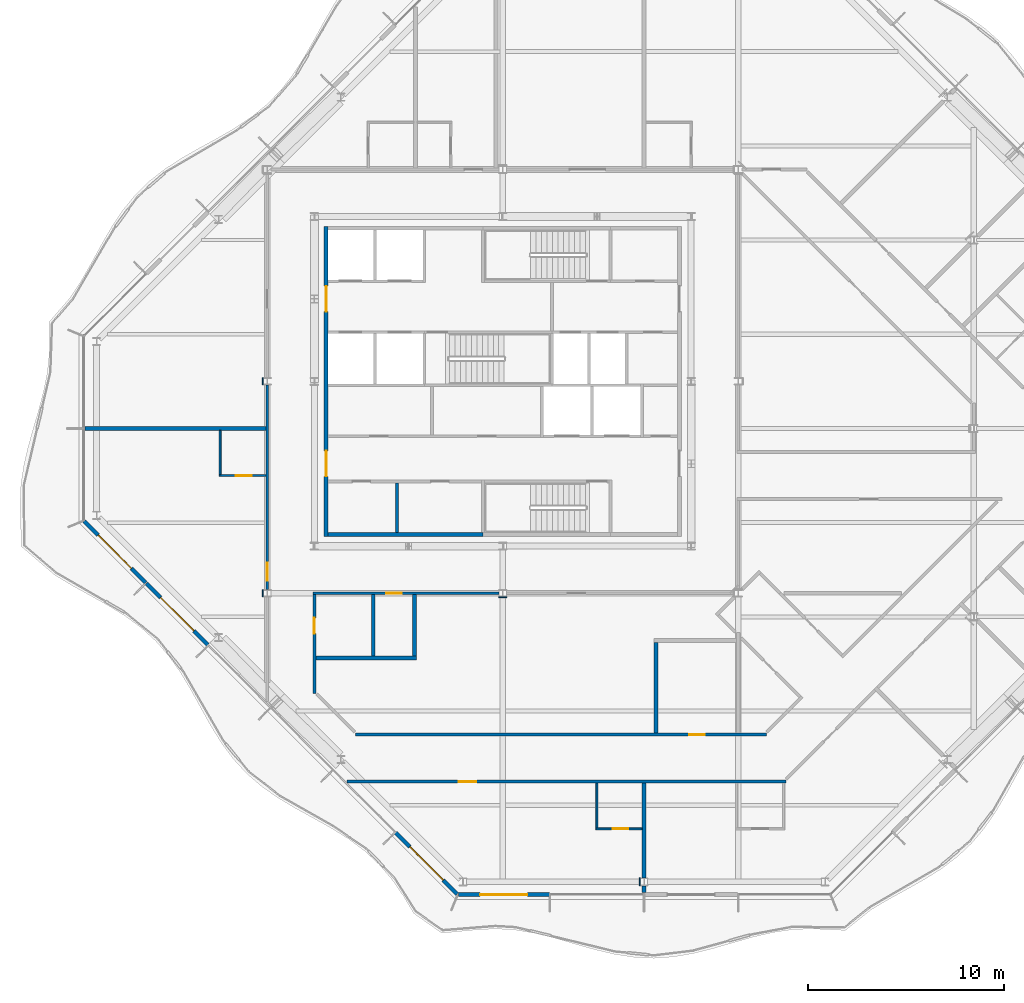
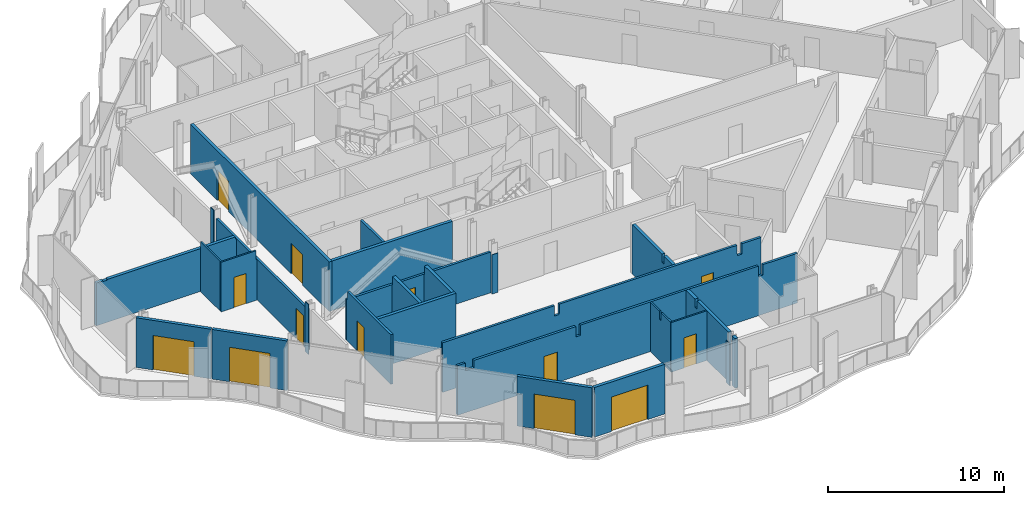
# One storey, part 7 of 17: 27 walls, 13 doors, 13 openings.
"""IFC4 building model written with IfcOpenShell, lengths in metres."""

from ifc_helpers import new_model, si_unit, direction, frame, frame_2d, origin, place, context, subcontext, project, spatial, polyline, rectangle, outline, extrude, material, layer, layer_set, type_object, element, fill, save


model = new_model("IFC4")

# Units and contexts
model_context = context("Model", 3, precision=1e-05, world=origin(), true_north=direction((0.0, 1.0)))
body_context = subcontext(model_context, "Body", "Model", "MODEL_VIEW")
ifc_project = project(units=[si_unit("LENGTHUNIT", "METRE"), si_unit("AREAUNIT", "SQUARE_METRE"), si_unit("VOLUMEUNIT", "CUBIC_METRE"), si_unit("PLANEANGLEUNIT", "RADIAN"), si_unit("MASSUNIT", "GRAM", prefix="KILO")], contexts=[model_context])

# Site, building, storey
site_placement = place(None, origin())
site = spatial("IfcSite", under=ifc_project, at=site_placement, CompositionType="ELEMENT")
building_placement = place(site_placement, origin())
building = spatial("IfcBuilding", under=site, at=building_placement, Name="Cairn Pilgrim Tower", CompositionType="ELEMENT")
storey_placement = place(building_placement, frame((0.0, 0.0, 239.39990234375)))
storey = spatial("IfcBuildingStorey", under=building, at=storey_placement, Name="L61", CompositionType="ELEMENT", Elevation=239.39990234375)

# Wall, opening, door
ifc_material_1 = material(Name="Bronze anodised aluminium insulated sandwich panel with mineral wool fill", Category="aluminium")
ifc_layer_1 = layer(ifc_material_1, 0.199951171875)
ifc_layer_set_1 = layer_set([ifc_layer_1], Name="BRONZE INFILL FRAME WALL 200")
wall_type_1 = type_object("IfcWallType", Name="BRONZE INFILL FRAME WALL 200", PredefinedType="NOTDEFINED", material=ifc_layer_set_1)
wall_1_placement = place(storey_placement, frame((4.943603515625, -23.75, 0.0), z_axis=(0.0, 0.0, 1.0), x_axis=(1.0, 0.0, 0.0)))
wall_1 = element("IfcWall", 1, at=wall_1_placement, inside=storey, type_object=wall_type_1, Name="Bronze infill frame wall IW-S1", PredefinedType="NOTDEFINED", context=body_context, shape_type="SweptSolid", body=[
    extrude(rectangle(XDim=4.62646484375, YDim=0.199951171875, at=frame_2d((2.313232421875, 0.0))), origin(), (0.0, 0.0, 1.0), 3.4501953125),
])
opening_1_placement = place(wall_1_placement, frame((1.1083984375, 0.0, 0.0)))
opening_1 = element("IfcOpeningElement", 2, at=opening_1_placement, cuts=wall_1, Name="Opening 6113B2", PredefinedType="OPENING", context=body_context, shape_type="SweptSolid", body=[
    extrude(rectangle(XDim=2.39990234375, YDim=2.39990234375, at=frame_2d((1.199951171875, 1.199951171875))), frame((0.0, 0.10986328125, 0.0), z_axis=(0.0, -1.0, 0.0), x_axis=(1.0, 0.0, 0.0)), (0.0, 0.0, 1.0), 0.219970703125),
])
ifc_material_2 = material(Name="Bronze anodised aluminium frame with tinted low-E glass", Category="aluminium")
door_type_1 = type_object("IfcDoorType", Name="BALCONY SLIDING DOOR 2400x2400", OperationType="DOUBLE_DOOR_SLIDING", PredefinedType="DOOR", material=ifc_material_2)
door_1_placement = place(opening_1_placement, origin())
door_1 = element("IfcDoor", 3, at=door_1_placement, inside=storey, type_object=door_type_1, Name="Balcony sliding door 6113B2", OperationType="SINGLE_SWING_LEFT", OverallHeight=2.39990234375, OverallWidth=2.39990234375, PredefinedType="DOOR", context=body_context, shape_type="SweptSolid", body=[
    extrude(rectangle(XDim=2.39990234375, YDim=2.39990234375, at=frame_2d((1.199951171875, 1.199951171875))), frame((0.0, 0.02490234375, 0.0), z_axis=(0.0, -1.0, 0.0), x_axis=(1.0, 0.0, 0.0)), (0.0, 0.0, 1.0), 0.050048828125),
])
fill(opening_1, door_1)

wall_2_placement = place(storey_placement, frame((-14.121826171875, -4.724609375, 0.0), z_axis=(0.0, 0.0, 1.0), x_axis=(0.707106781187, -0.707106781187, 0.0)))
wall_2 = element("IfcWall", 4, at=wall_2_placement, inside=storey, type_object=wall_type_1, Name="Bronze infill frame wall IW-SW1", PredefinedType="NOTDEFINED", context=body_context, shape_type="SweptSolid", body=[
    extrude(rectangle(XDim=4.421142578125, YDim=0.199951171875, at=frame_2d((2.21044921875, 0.0))), origin(), (0.0, 0.0, 1.0), 3.4501953125),
])
opening_2_placement = place(wall_2_placement, frame((1.00537109375, 0.0, 0.0)))
opening_2 = element("IfcOpeningElement", 5, at=opening_2_placement, cuts=wall_2, Name="Opening 6112B2", PredefinedType="OPENING", context=body_context, shape_type="SweptSolid", body=[
    extrude(rectangle(XDim=2.39990234375, YDim=2.39990234375, at=frame_2d((1.199951171875, 1.199951171875))), frame((0.0, 0.10986328125, 0.0), z_axis=(0.0, -1.0, 0.0), x_axis=(1.0, 0.0, 0.0)), (0.0, 0.0, 1.0), 0.219970703125),
])
door_2_placement = place(opening_2_placement, origin())
door_2 = element("IfcDoor", 6, at=door_2_placement, inside=storey, type_object=door_type_1, Name="Balcony sliding door 6112B2", OperationType="SINGLE_SWING_LEFT", OverallHeight=2.39990234375, OverallWidth=2.39990234375, PredefinedType="DOOR", context=body_context, shape_type="SweptSolid", body=[
    extrude(rectangle(XDim=2.39990234375, YDim=2.39990234375, at=frame_2d((1.199951171875, 1.199951171875))), frame((0.0, 0.02490234375, 0.0), z_axis=(0.0, -1.0, 0.0), x_axis=(1.0, 0.0, 0.0)), (0.0, 0.0, 1.0), 0.050048828125),
])
fill(opening_2, door_2)

wall_3_placement = place(storey_placement, frame((-10.953125, -7.893310546875, 0.0), z_axis=(0.0, 0.0, 1.0), x_axis=(0.707106781187, -0.707106781187, 0.0)))
wall_3 = element("IfcWall", 7, at=wall_3_placement, inside=storey, type_object=wall_type_1, Name="Bronze infill frame wall IW-SW2", PredefinedType="NOTDEFINED", context=body_context, shape_type="SweptSolid", body=[
    extrude(rectangle(XDim=4.430908203125, YDim=0.199951171875, at=frame_2d((2.21533203125, 0.0))), origin(), (0.0, 0.0, 1.0), 3.4501953125),
])
opening_3_placement = place(wall_3_placement, frame((1.015380859375, 0.0, 0.0)))
opening_3 = element("IfcOpeningElement", 8, at=opening_3_placement, cuts=wall_3, Name="Opening 6112B", PredefinedType="OPENING", context=body_context, shape_type="SweptSolid", body=[
    extrude(rectangle(XDim=2.39990234375, YDim=2.39990234375, at=frame_2d((1.199951171875, 1.199951171875))), frame((0.0, 0.10986328125, 0.0), z_axis=(0.0, -1.0, 0.0), x_axis=(1.0, 0.0, 0.0)), (0.0, 0.0, 1.0), 0.219970703125),
])
door_3_placement = place(opening_3_placement, origin())
door_3 = element("IfcDoor", 9, at=door_3_placement, inside=storey, type_object=door_type_1, Name="Balcony sliding door 6112B", OperationType="SINGLE_SWING_LEFT", OverallHeight=2.39990234375, OverallWidth=2.39990234375, PredefinedType="DOOR", context=body_context, shape_type="SweptSolid", body=[
    extrude(rectangle(XDim=2.39990234375, YDim=2.39990234375, at=frame_2d((1.199951171875, 1.199951171875))), frame((0.0, 0.02490234375, 0.0), z_axis=(0.0, -1.0, 0.0), x_axis=(1.0, 0.0, 0.0)), (0.0, 0.0, 1.0), 0.050048828125),
])
fill(opening_3, door_3)

wall_4_placement = place(storey_placement, frame((1.749267578125, -20.595703125, 0.0), z_axis=(0.0, 0.0, 1.0), x_axis=(0.707106781187, -0.707106781187, 0.0)))
wall_4 = element("IfcWall", 10, at=wall_4_placement, inside=storey, type_object=wall_type_1, Name="Bronze infill frame wall IW-SW6", PredefinedType="NOTDEFINED", context=body_context, shape_type="SweptSolid", body=[
    extrude(rectangle(XDim=4.4208984375, YDim=0.199951171875, at=frame_2d((2.21044921875, 0.0))), origin(), (0.0, 0.0, 1.0), 3.4501953125),
])
opening_4_placement = place(wall_4_placement, frame((1.01513671875, 0.0, 0.0)))
opening_4 = element("IfcOpeningElement", 11, at=opening_4_placement, cuts=wall_4, Name="Opening 6113B", PredefinedType="OPENING", context=body_context, shape_type="SweptSolid", body=[
    extrude(rectangle(XDim=2.39990234375, YDim=2.39990234375, at=frame_2d((1.199951171875, 1.199951171875))), frame((0.0, 0.10986328125, 0.0), z_axis=(0.0, -1.0, 0.0), x_axis=(1.0, 0.0, 0.0)), (0.0, 0.0, 1.0), 0.219970703125),
])
door_4_placement = place(opening_4_placement, origin())
door_4 = element("IfcDoor", 12, at=door_4_placement, inside=storey, type_object=door_type_1, Name="Balcony sliding door 6113B", OperationType="SINGLE_SWING_LEFT", OverallHeight=2.39990234375, OverallWidth=2.39990234375, PredefinedType="DOOR", context=body_context, shape_type="SweptSolid", body=[
    extrude(rectangle(XDim=2.39990234375, YDim=2.39990234375, at=frame_2d((1.199951171875, 1.199951171875))), frame((0.0, 0.02490234375, 0.0), z_axis=(0.0, -1.0, 0.0), x_axis=(1.0, 0.0, 0.0)), (0.0, 0.0, 1.0), 0.050048828125),
])
fill(opening_4, door_4)

# Wall
ifc_material_3 = material(Name="Concrete C32/40", Category="concrete")
ifc_layer_2 = layer(ifc_material_3, 0.199951171875)
ifc_layer_set_2 = layer_set([ifc_layer_2], Name="CORE OUTER WALL 200 EI 120")
wall_type_2 = type_object("IfcWallType", Name="CORE OUTER WALL 200 EI 120", PredefinedType="SOLIDWALL", material=ifc_layer_set_2)
wall_5_placement = place(storey_placement, frame((-1.699951171875, -5.39990234375, 0.0), z_axis=(0.0, 0.0, 1.0), x_axis=(1.0, 0.0, 0.0)))
element("IfcWall", 13, at=wall_5_placement, inside=storey, type_object=wall_type_2, Name="CW:L61:H01-1", PredefinedType="SOLIDWALL", context=body_context, shape_type="SweptSolid", body=[
    extrude(rectangle(XDim=7.89990234375, YDim=0.199951171875, at=frame_2d((3.949951171875, 0.0))), origin(), (0.0, 0.0, 1.0), 3.4501953125),
])

# Wall, openings, doors
wall_6_placement = place(storey_placement, frame((-1.800048828125, -5.5, 0.0), z_axis=(0.0, 0.0, 1.0), x_axis=(0.0, 1.0, 0.0)))
wall_6 = element("IfcWall", 14, at=wall_6_placement, inside=storey, type_object=wall_type_2, Name="CW:L61:V13", PredefinedType="SOLIDWALL", context=body_context, shape_type="SweptSolid", body=[
    extrude(rectangle(XDim=15.800048828125, YDim=0.199951171875, at=frame_2d((7.89990234375, 0.0))), origin(), (0.0, 0.0, 1.0), 3.4501953125),
])
opening_5_placement = place(wall_6_placement, frame((3.050048828125, 0.0, 0.0)))
opening_5 = element("IfcOpeningElement", 15, at=opening_5_placement, cuts=wall_6, Name="Opening CD-W1", PredefinedType="OPENING", context=body_context, shape_type="SweptSolid", body=[
    extrude(rectangle(XDim=1.300048828125, YDim=2.10009765625, at=frame_2d((0.64990234375, 1.050048828125))), frame((0.0, 0.10986328125, 0.0), z_axis=(0.0, -1.0, 0.0), x_axis=(1.0, 0.0, 0.0)), (0.0, 0.0, 1.0), 0.219970703125),
])
opening_6_placement = place(wall_6_placement, frame((11.449951171875, 0.0, 0.0)))
opening_6 = element("IfcOpeningElement", 16, at=opening_6_placement, cuts=wall_6, Name="Opening CD-W2", PredefinedType="OPENING", context=body_context, shape_type="SweptSolid", body=[
    extrude(rectangle(XDim=1.300048828125, YDim=2.10009765625, at=frame_2d((0.64990234375, 1.050048828125))), frame((0.0, 0.10986328125, 0.0), z_axis=(0.0, -1.0, 0.0), x_axis=(1.0, 0.0, 0.0)), (0.0, 0.0, 1.0), 0.219970703125),
])
ifc_material_4 = material(Name="Painted steel", Category="steel")
door_type_2 = type_object("IfcDoorType", Name="CORE LOBBY DOOR 1300x2100", OperationType="DOUBLE_DOOR_SINGLE_SWING", PredefinedType="DOOR", material=ifc_material_4)
door_5_placement = place(opening_5_placement, origin())
door_5 = element("IfcDoor", 17, at=door_5_placement, inside=storey, type_object=door_type_2, Name="CD-W1", OperationType="DOUBLE_DOOR_SINGLE_SWING", OverallHeight=2.10009765625, OverallWidth=1.300048828125, PredefinedType="DOOR", context=body_context, shape_type="SweptSolid", body=[
    extrude(rectangle(XDim=1.300048828125, YDim=2.10009765625, at=frame_2d((0.64990234375, 1.050048828125))), frame((0.0, 0.02490234375, 0.0), z_axis=(0.0, -1.0, 0.0), x_axis=(1.0, 0.0, 0.0)), (0.0, 0.0, 1.0), 0.050048828125),
])
fill(opening_5, door_5)
door_6_placement = place(opening_6_placement, origin())
door_6 = element("IfcDoor", 18, at=door_6_placement, inside=storey, type_object=door_type_2, Name="CD-W2", OperationType="DOUBLE_DOOR_SINGLE_SWING", OverallHeight=2.10009765625, OverallWidth=1.300048828125, PredefinedType="DOOR", context=body_context, shape_type="SweptSolid", body=[
    extrude(rectangle(XDim=1.300048828125, YDim=2.10009765625, at=frame_2d((0.64990234375, 1.050048828125))), frame((0.0, 0.02490234375, 0.0), z_axis=(0.0, -1.0, 0.0), x_axis=(1.0, 0.0, 0.0)), (0.0, 0.0, 1.0), 0.050048828125),
])
fill(opening_6, door_6)

# Wall
ifc_layer_3 = layer(ifc_material_3, 0.14990234375)
ifc_layer_set_3 = layer_set([ifc_layer_3], Name="CORE PARTITION 150 EI 60")
wall_type_3 = type_object("IfcWallType", Name="CORE PARTITION 150 EI 60", PredefinedType="PARTITIONING", material=ifc_layer_set_3)
wall_7_placement = place(storey_placement, frame((1.800048828125, -5.300048828125, 0.0), z_axis=(0.0, 0.0, 1.0), x_axis=(0.0, 1.0, 0.0)))
element("IfcWall", 19, at=wall_7_placement, inside=storey, type_object=wall_type_3, Name="CW:L61:V16", PredefinedType="PARTITIONING", context=body_context, shape_type="SweptSolid", body=[
    extrude(rectangle(XDim=2.525146484375, YDim=0.14990234375, at=frame_2d((1.2626953125, 0.0))), origin(), (0.0, 0.0, 1.0), 3.4501953125),
])

# Wall, opening, door
ifc_material_5 = material(Name="Gypsum partition")
ifc_layer_4 = layer(ifc_material_5, 0.10009765625)
ifc_layer_set_4 = layer_set([ifc_layer_4], Name="PARTITION 100 DRYWALL")
wall_type_4 = type_object("IfcWallType", Name="PARTITION 100 DRYWALL", PredefinedType="PARTITIONING", material=ifc_layer_set_4)
wall_8_placement = place(storey_placement, frame((11.949951171875, -20.39990234375, 0.0), z_axis=(0.0, 0.0, 1.0), x_axis=(1.0, 0.0, 0.0)))
wall_8 = element("IfcWall", 20, at=wall_8_placement, inside=storey, type_object=wall_type_4, Name="PARTITION W003", PredefinedType="PARTITIONING", context=body_context, shape_type="SweptSolid", body=[
    extrude(rectangle(XDim=2.35009765625, YDim=0.10009765625, at=frame_2d((1.175048828125, 0.0))), origin(), (0.0, 0.0, 1.0), 3.4501953125),
])
opening_7_placement = place(wall_8_placement, frame((0.85009765625, 0.0, 0.0)))
opening_7 = element("IfcOpeningElement", 21, at=opening_7_placement, cuts=wall_8, Name="Opening 6113A", PredefinedType="OPENING", context=body_context, shape_type="SweptSolid", body=[
    extrude(rectangle(XDim=0.800048828125, YDim=2.10009765625, at=frame_2d((0.39990234375, 1.050048828125))), frame((0.0, 0.06005859375, 0.0), z_axis=(0.0, -1.0, 0.0), x_axis=(1.0, 0.0, 0.0)), (0.0, 0.0, 1.0), 0.1201171875),
])
ifc_material_6 = material(Name="Timber door leaf", Category="wood")
door_type_3 = type_object("IfcDoorType", Name="WC DOOR 800x2100", OperationType="NOTDEFINED", PredefinedType="DOOR", material=ifc_material_6)
door_7_placement = place(opening_7_placement, frame((0.800048828125, 0.0, 0.0), z_axis=(0.0, 0.0, 1.0), x_axis=(-1.0, 0.0, 0.0)))
door_7 = element("IfcDoor", 22, at=door_7_placement, inside=storey, type_object=door_type_3, Name="DOOR 6113A", OperationType="SINGLE_SWING_LEFT", OverallHeight=2.10009765625, OverallWidth=0.800048828125, PredefinedType="DOOR", context=body_context, shape_type="SweptSolid", body=[
    extrude(rectangle(XDim=0.800048828125, YDim=2.10009765625, at=frame_2d((0.39990234375, 1.050048828125))), frame((0.0, 0.02490234375, 0.0), z_axis=(0.0, -1.0, 0.0), x_axis=(1.0, 0.0, 0.0)), (0.0, 0.0, 1.0), 0.050048828125),
])
fill(opening_7, door_7)

# Wall
wall_9_placement = place(storey_placement, frame((12.0, -20.35009765625, 0.0), z_axis=(0.0, 0.0, 1.0), x_axis=(0.0, 1.0, 0.0)))
element("IfcWall", 23, at=wall_9_placement, inside=storey, type_object=wall_type_4, Name="PARTITION W004", PredefinedType="PARTITIONING", context=body_context, shape_type="SweptSolid", body=[
    extrude(outline(polyline([(0.0, 0.0), (2.275146484375, 0.0), (2.27490234375, 3.4501953125), (1.2548828125, 3.4501953125), (1.2529296875, 2.880126953125), (1.044921875, 2.880126953125), (1.04296875, 3.4501953125), (0.0, 3.4501953125), (0.0, 0.0)])), frame((0.0, 0.050048828125, 0.0), z_axis=(0.0, -1.0, 0.0), x_axis=(1.0, 0.0, 0.0)), (0.0, 0.0, 1.0), 0.10009765625),
])

# Wall, opening, door
wall_10_placement = place(storey_placement, frame((-7.25, -2.39990234375, 0.0), z_axis=(0.0, 0.0, 1.0), x_axis=(1.0, 0.0, 0.0)))
wall_10 = element("IfcWall", 24, at=wall_10_placement, inside=storey, type_object=wall_type_4, Name="PARTITION W047", PredefinedType="PARTITIONING", context=body_context, shape_type="SweptSolid", body=[
    extrude(outline(polyline([(0.0, 0.0), (2.375, 0.0), (2.375, 2.830078125), (2.300048828125, 2.830078125), (2.298095703125, 3.4501953125), (0.0, 3.4501953125), (0.0, 0.0)])), frame((0.0, 0.050048828125, 0.0), z_axis=(0.0, -1.0, 0.0), x_axis=(1.0, 0.0, 0.0)), (0.0, 0.0, 1.0), 0.10009765625),
])
opening_8_placement = place(wall_10_placement, frame((0.85009765625, 0.0, 0.0)))
opening_8 = element("IfcOpeningElement", 25, at=opening_8_placement, cuts=wall_10, Name="Opening 6112A", PredefinedType="OPENING", context=body_context, shape_type="SweptSolid", body=[
    extrude(rectangle(XDim=0.800048828125, YDim=2.10009765625, at=frame_2d((0.39990234375, 1.050048828125))), frame((0.0, 0.06005859375, 0.0), z_axis=(0.0, -1.0, 0.0), x_axis=(1.0, 0.0, 0.0)), (0.0, 0.0, 1.0), 0.1201171875),
])
door_8_placement = place(opening_8_placement, frame((0.800048828125, 0.0, 0.0), z_axis=(0.0, 0.0, 1.0), x_axis=(-1.0, 0.0, 0.0)))
door_8 = element("IfcDoor", 26, at=door_8_placement, inside=storey, type_object=door_type_3, Name="DOOR 6112A", OperationType="SINGLE_SWING_LEFT", OverallHeight=2.10009765625, OverallWidth=0.800048828125, PredefinedType="DOOR", context=body_context, shape_type="SweptSolid", body=[
    extrude(rectangle(XDim=0.800048828125, YDim=2.10009765625, at=frame_2d((0.39990234375, 1.050048828125))), frame((0.0, 0.02490234375, 0.0), z_axis=(0.0, -1.0, 0.0), x_axis=(1.0, 0.0, 0.0)), (0.0, 0.0, 1.0), 0.050048828125),
])
fill(opening_8, door_8)

# Wall
wall_11_placement = place(storey_placement, frame((-7.199951171875, -2.35009765625, 0.0), z_axis=(0.0, 0.0, 1.0), x_axis=(0.0, 1.0, 0.0)))
element("IfcWall", 27, at=wall_11_placement, inside=storey, type_object=wall_type_4, Name="PARTITION W048", PredefinedType="PARTITIONING", context=body_context, shape_type="SweptSolid", body=[
    extrude(rectangle(XDim=2.25, YDim=0.10009765625, at=frame_2d((1.125, 0.0))), origin(), (0.0, 0.0, 1.0), 3.4501953125),
])

# Wall, opening, door
ifc_layer_5 = layer(ifc_material_5, 0.14990234375)
ifc_layer_set_5 = layer_set([ifc_layer_5], Name="PARTITION 150 DRYWALL EI 60")
wall_type_5 = type_object("IfcWallType", Name="PARTITION 150 DRYWALL EI 60", PredefinedType="PARTITIONING", material=ifc_layer_set_5)
wall_12_placement = place(storey_placement, frame((-0.72607421875, -18.0, 0.0), z_axis=(0.0, 0.0, 1.0), x_axis=(1.0, 0.0, 0.0)))
wall_12 = element("IfcWall", 28, at=wall_12_placement, inside=storey, type_object=wall_type_5, Name="PARTITION W008", PredefinedType="PARTITIONING", context=body_context, shape_type="SweptSolid", body=[
    extrude(outline(polyline([(0.0, 0.0), (22.34716796875, 0.0), (22.34716796875, 3.4501953125), (20.076171875, 3.4501953125), (20.07421875, 2.72998046875), (19.776123046875, 2.72998046875), (19.774169921875, 3.4501953125), (8.076171875, 3.4501953125), (8.07421875, 2.72998046875), (7.776123046875, 2.72998046875), (7.774169921875, 3.4501953125), (1.0859375, 3.4501953125), (1.083984375, 2.93017578125), (0.51171875, 2.93017578125), (0.509765625, 3.4501953125), (0.0, 3.4501953125), (0.0, 0.0)])), frame((0.0, 0.074951171875, 0.0), z_axis=(0.0, -1.0, 0.0), x_axis=(1.0, 0.0, 0.0)), (0.0, 0.0, 1.0), 0.14990234375),
])
opening_9_placement = place(wall_12_placement, frame((5.676025390625, 0.0, 0.0)))
opening_9 = element("IfcOpeningElement", 29, at=opening_9_placement, cuts=wall_12, Name="Opening 6113", PredefinedType="OPENING", context=body_context, shape_type="SweptSolid", body=[
    extrude(rectangle(XDim=0.89990234375, YDim=2.10009765625, at=frame_2d((0.449951171875, 1.050048828125))), frame((0.0, 0.0849609375, 0.0), z_axis=(0.0, -1.0, 0.0), x_axis=(1.0, 0.0, 0.0)), (0.0, 0.0, 1.0), 0.169921875),
])
door_type_4 = type_object("IfcDoorType", Name="ROOM DOOR 900x2100 FD30S", OperationType="NOTDEFINED", PredefinedType="DOOR", material=ifc_material_6)
door_9_placement = place(opening_9_placement, frame((0.89990234375, 0.0, 0.0), z_axis=(0.0, 0.0, 1.0), x_axis=(-1.0, 0.0, 0.0)))
door_9 = element("IfcDoor", 30, at=door_9_placement, inside=storey, type_object=door_type_4, Name="DOOR 6113", OperationType="SINGLE_SWING_LEFT", OverallHeight=2.10009765625, OverallWidth=0.89990234375, PredefinedType="DOOR", context=body_context, shape_type="SweptSolid", body=[
    extrude(rectangle(XDim=0.89990234375, YDim=2.10009765625, at=frame_2d((0.449951171875, 1.050048828125))), frame((0.0, 0.02490234375, 0.0), z_axis=(0.0, -1.0, 0.0), x_axis=(1.0, 0.0, 0.0)), (0.0, 0.0, 1.0), 0.050048828125),
])
fill(opening_9, door_9)

wall_13_placement = place(storey_placement, frame((-0.31201171875, -15.60009765625, 0.0), z_axis=(0.0, 0.0, 1.0), x_axis=(1.0, 0.0, 0.0)))
wall_13 = element("IfcWall", 31, at=wall_13_placement, inside=storey, type_object=wall_type_5, Name="PARTITION W012", PredefinedType="PARTITIONING", context=body_context, shape_type="SweptSolid", body=[
    extrude(outline(polyline([(0.0, 0.0), (20.93896484375, 0.0), (20.939208984375, 3.4501953125), (19.662109375, 3.4501953125), (19.66015625, 2.72998046875), (19.362060546875, 2.72998046875), (19.360107421875, 3.4501953125), (7.662109375, 3.4501953125), (7.66015625, 2.72998046875), (7.362060546875, 2.72998046875), (7.360107421875, 3.4501953125), (0.0, 3.4501953125), (0.0, 0.0)])), frame((0.0, 0.074951171875, 0.0), z_axis=(0.0, -1.0, 0.0), x_axis=(1.0, 0.0, 0.0)), (0.0, 0.0, 1.0), 0.14990234375),
])
opening_10_placement = place(wall_13_placement, frame((17.011962890625, 0.0, 0.0)))
opening_10 = element("IfcOpeningElement", 32, at=opening_10_placement, cuts=wall_13, Name="Opening 6116", PredefinedType="OPENING", context=body_context, shape_type="SweptSolid", body=[
    extrude(rectangle(XDim=0.800048828125, YDim=2.10009765625, at=frame_2d((0.39990234375, 1.050048828125))), frame((0.0, 0.0849609375, 0.0), z_axis=(0.0, -1.0, 0.0), x_axis=(1.0, 0.0, 0.0)), (0.0, 0.0, 1.0), 0.169921875),
])
door_type_5 = type_object("IfcDoorType", Name="WC DOOR 800x2100 FD30S", OperationType="NOTDEFINED", PredefinedType="DOOR", material=ifc_material_6)
door_10_placement = place(opening_10_placement, origin())
door_10 = element("IfcDoor", 33, at=door_10_placement, inside=storey, type_object=door_type_5, Name="DOOR 6116", OperationType="SINGLE_SWING_LEFT", OverallHeight=2.10009765625, OverallWidth=0.800048828125, PredefinedType="DOOR", context=body_context, shape_type="SweptSolid", body=[
    extrude(rectangle(XDim=0.800048828125, YDim=2.10009765625, at=frame_2d((0.39990234375, 1.050048828125))), frame((0.0, 0.02490234375, 0.0), z_axis=(0.0, -1.0, 0.0), x_axis=(1.0, 0.0, 0.0)), (0.0, 0.0, 1.0), 0.050048828125),
])
fill(opening_10, door_10)

wall_14_placement = place(storey_placement, frame((-2.39990234375, -13.51220703125, 0.0), z_axis=(0.0, 0.0, 1.0), x_axis=(0.0, 1.0, 0.0)))
wall_14 = element("IfcWall", 34, at=wall_14_placement, inside=storey, type_object=wall_type_5, Name="PARTITION W019", PredefinedType="PARTITIONING", context=body_context, shape_type="SweptSolid", body=[
    extrude(outline(polyline([(0.0, 0.0), (5.037109375, 0.0), (5.037109375, 2.830078125), (4.962158203125, 2.830078125), (4.960205078125, 3.4501953125), (0.0, 3.4501953125), (0.0, 0.0)])), frame((0.0, 0.074951171875, 0.0), z_axis=(0.0, -1.0, 0.0), x_axis=(1.0, 0.0, 0.0)), (0.0, 0.0, 1.0), 0.14990234375),
])
opening_11_placement = place(wall_14_placement, frame((3.06201171875, 0.0, 0.0)))
opening_11 = element("IfcOpeningElement", 35, at=opening_11_placement, cuts=wall_14, Name="Opening 6114", PredefinedType="OPENING", context=body_context, shape_type="SweptSolid", body=[
    extrude(rectangle(XDim=0.800048828125, YDim=2.10009765625, at=frame_2d((0.39990234375, 1.050048828125))), frame((0.0, 0.0849609375, 0.0), z_axis=(0.0, -1.0, 0.0), x_axis=(1.0, 0.0, 0.0)), (0.0, 0.0, 1.0), 0.169921875),
])
door_11_placement = place(opening_11_placement, frame((0.800048828125, 0.0, 0.0), z_axis=(0.0, 0.0, 1.0), x_axis=(-1.0, 0.0, 0.0)))
door_11 = element("IfcDoor", 36, at=door_11_placement, inside=storey, type_object=door_type_5, Name="DOOR 6114", OperationType="SINGLE_SWING_LEFT", OverallHeight=2.10009765625, OverallWidth=0.800048828125, PredefinedType="DOOR", context=body_context, shape_type="SweptSolid", body=[
    extrude(rectangle(XDim=0.800048828125, YDim=2.10009765625, at=frame_2d((0.39990234375, 1.050048828125))), frame((0.0, 0.02490234375, 0.0), z_axis=(0.0, -1.0, 0.0), x_axis=(1.0, 0.0, 0.0)), (0.0, 0.0, 1.0), 0.050048828125),
])
fill(opening_11, door_11)

wall_15_placement = place(storey_placement, frame((-2.47509765625, -8.39990234375, 0.0), z_axis=(0.0, 0.0, 1.0), x_axis=(1.0, 0.0, 0.0)))
wall_15 = element("IfcWall", 37, at=wall_15_placement, inside=storey, type_object=wall_type_5, Name="PARTITION W034", PredefinedType="PARTITIONING", context=body_context, shape_type="SweptSolid", body=[
    extrude(rectangle(XDim=9.47802734375, YDim=0.14990234375, at=frame_2d((4.739013671875, 0.0))), origin(), (0.0, 0.0, 1.0), 2.830078125),
])
opening_12_placement = place(wall_15_placement, frame((3.72509765625, 0.0, 0.0)))
opening_12 = element("IfcOpeningElement", 38, at=opening_12_placement, cuts=wall_15, Name="Opening 6115", PredefinedType="OPENING", context=body_context, shape_type="SweptSolid", body=[
    extrude(rectangle(XDim=0.800048828125, YDim=2.10009765625, at=frame_2d((0.39990234375, 1.050048828125))), frame((0.0, 0.0849609375, 0.0), z_axis=(0.0, -1.0, 0.0), x_axis=(1.0, 0.0, 0.0)), (0.0, 0.0, 1.0), 0.169921875),
])
door_12_placement = place(opening_12_placement, frame((0.800048828125, 0.0, 0.0), z_axis=(0.0, 0.0, 1.0), x_axis=(-1.0, 0.0, 0.0)))
door_12 = element("IfcDoor", 39, at=door_12_placement, inside=storey, type_object=door_type_5, Name="DOOR 6115", OperationType="SINGLE_SWING_LEFT", OverallHeight=2.10009765625, OverallWidth=0.800048828125, PredefinedType="DOOR", context=body_context, shape_type="SweptSolid", body=[
    extrude(rectangle(XDim=0.800048828125, YDim=2.10009765625, at=frame_2d((0.39990234375, 1.050048828125))), frame((0.0, 0.02490234375, 0.0), z_axis=(0.0, -1.0, 0.0), x_axis=(1.0, 0.0, 0.0)), (0.0, 0.0, 1.0), 0.050048828125),
])
fill(opening_12, door_12)

wall_16_placement = place(storey_placement, frame((-4.800048828125, -8.21240234375, 0.0), z_axis=(0.0, 0.0, 1.0), x_axis=(0.0, 1.0, 0.0)))
wall_16 = element("IfcWall", 40, at=wall_16_placement, inside=storey, type_object=wall_type_5, Name="PARTITION W038", PredefinedType="PARTITIONING", context=body_context, shape_type="SweptSolid", body=[
    extrude(rectangle(XDim=10.4248046875, YDim=0.14990234375, at=frame_2d((5.21240234375, 0.0))), origin(), (0.0, 0.0, 1.0), 2.830078125),
])
opening_13_placement = place(wall_16_placement, frame((0.46240234375, 0.0, 0.0)))
opening_13 = element("IfcOpeningElement", 41, at=opening_13_placement, cuts=wall_16, Name="Opening 6112", PredefinedType="OPENING", context=body_context, shape_type="SweptSolid", body=[
    extrude(rectangle(XDim=0.89990234375, YDim=2.10009765625, at=frame_2d((0.449951171875, 1.050048828125))), frame((0.0, 0.0849609375, 0.0), z_axis=(0.0, -1.0, 0.0), x_axis=(1.0, 0.0, 0.0)), (0.0, 0.0, 1.0), 0.169921875),
])
door_13_placement = place(opening_13_placement, origin())
door_13 = element("IfcDoor", 42, at=door_13_placement, inside=storey, type_object=door_type_4, Name="DOOR 6112", OperationType="SINGLE_SWING_LEFT", OverallHeight=2.10009765625, OverallWidth=0.89990234375, PredefinedType="DOOR", context=body_context, shape_type="SweptSolid", body=[
    extrude(rectangle(XDim=0.89990234375, YDim=2.10009765625, at=frame_2d((0.449951171875, 1.050048828125))), frame((0.0, 0.02490234375, 0.0), z_axis=(0.0, -1.0, 0.0), x_axis=(1.0, 0.0, 0.0)), (0.0, 0.0, 1.0), 0.050048828125),
])
fill(opening_13, door_13)

# Walls
ifc_layer_6 = layer(ifc_material_5, 0.050048828125)
ifc_layer_set_6 = layer_set([ifc_layer_6], Name="PARTITION 50 DRYWALL EI 60")
wall_type_6 = type_object("IfcWallType", Name="PARTITION 50 DRYWALL EI 60", PredefinedType="PARTITIONING", material=ifc_layer_set_6)
wall_17_placement = place(storey_placement, frame((14.173095703125, -23.303466796875, 0.0), z_axis=(0.0, 0.0, 1.0), x_axis=(0.0, 1.0, 0.0)))
element("IfcWall", 43, at=wall_17_placement, inside=storey, type_object=wall_type_6, Name="COLUMN CASING WC01", PredefinedType="PARTITIONING", context=body_context, shape_type="SweptSolid", body=[
    extrude(rectangle(XDim=0.406982421875, YDim=0.050048828125, at=frame_2d((0.20361328125, 0.0))), origin(), (0.0, 0.0, 1.0), 2.93017578125),
])
for number, where, z_axis, x_axis, name in (
    (44, (-5.02197265625, -8.58740234375, 0.0), (0.0, 0.0, 1.0), (0.0, 1.0, 0.0), "COLUMN CASING WC03"),
    (45, (-5.02197265625, 2.21240234375, 0.0), (0.0, 0.0, 1.0), (0.0, 1.0, 0.0), "COLUMN CASING WC04"),
):
    element("IfcWall", number, at=place(storey_placement, frame(where, z_axis=z_axis, x_axis=x_axis)), inside=storey, type_object=wall_type_6, Name=name, PredefinedType="PARTITIONING", context=body_context, shape_type="SweptSolid", body=[
        extrude(rectangle(XDim=0.375, YDim=0.050048828125, at=frame_2d((0.1875, 0.0))), origin(), (0.0, 0.0, 1.0), 3.4501953125),
    ])
wall_18_placement = place(storey_placement, frame((7.0029296875, -8.612548828125, 0.0), z_axis=(0.0, 0.0, 1.0), x_axis=(1.0, 0.0, 0.0)))
element("IfcWall", 46, at=wall_18_placement, inside=storey, type_object=wall_type_6, Name="COLUMN CASING WC09", PredefinedType="PARTITIONING", context=body_context, shape_type="SweptSolid", body=[
    extrude(rectangle(XDim=0.39404296875, YDim=0.050048828125, at=frame_2d((0.197021484375, 0.0))), origin(), (0.0, 0.0, 1.0), 2.72998046875),
])
ifc_layer_7 = layer(ifc_material_5, 0.199951171875)
ifc_layer_set_7 = layer_set([ifc_layer_7], Name="SHAFT WALL 200 GYPSUM EI 60")
wall_type_7 = type_object("IfcWallType", Name="SHAFT WALL 200 GYPSUM EI 60", PredefinedType="PARTITIONING", material=ifc_layer_set_7)
wall_19_placement = place(storey_placement, frame((14.39990234375, -23.64990234375, 0.0), z_axis=(0.0, 0.0, 1.0), x_axis=(0.0, 1.0, 0.0)))
element("IfcWall", 47, at=wall_19_placement, inside=storey, type_object=wall_type_7, Name="PARTITION W001", PredefinedType="PARTITIONING", context=body_context, shape_type="SweptSolid", body=[
    extrude(rectangle(XDim=0.346435546875, YDim=0.199951171875, at=frame_2d((0.17333984375, 0.0))), origin(), (0.0, 0.0, 1.0), 3.4501953125),
])
wall_20_placement = place(storey_placement, frame((14.39990234375, -22.896484375, 0.0), z_axis=(0.0, 0.0, 1.0), x_axis=(0.0, 1.0, 0.0)))
element("IfcWall", 48, at=wall_20_placement, inside=storey, type_object=wall_type_7, Name="PARTITION W002", PredefinedType="PARTITIONING", context=body_context, shape_type="SweptSolid", body=[
    extrude(outline(polyline([(0.0, 0.0), (4.821533203125, 0.0), (4.821533203125, 3.4501953125), (3.801513671875, 3.4501953125), (3.799560546875, 2.880126953125), (3.591552734375, 2.880126953125), (3.589599609375, 3.4501953125), (0.0, 3.4501953125), (0.0, 0.0)])), frame((0.0, 0.10009765625, 0.0), z_axis=(0.0, -1.0, 0.0), x_axis=(1.0, 0.0, 0.0)), (0.0, 0.0, 1.0), 0.199951171875),
])
wall_21_placement = place(storey_placement, frame((15.0, -15.52490234375, 0.0), z_axis=(0.0, 0.0, 1.0), x_axis=(0.0, 1.0, 0.0)))
element("IfcWall", 49, at=wall_21_placement, inside=storey, type_object=wall_type_7, Name="PARTITION W014", PredefinedType="PARTITIONING", context=body_context, shape_type="SweptSolid", body=[
    extrude(outline(polyline([(0.0, 0.0), (4.625, 0.0), (4.625, 3.4501953125), (1.22998046875, 3.4501953125), (1.22802734375, 2.880126953125), (1.02001953125, 2.880126953125), (1.01806640625, 3.4501953125), (0.0, 3.4501953125), (0.0, 0.0)])), frame((0.0, 0.10009765625, 0.0), z_axis=(0.0, -1.0, 0.0), x_axis=(1.0, 0.0, 0.0)), (0.0, 0.0, 1.0), 0.199951171875),
])
wall_22_placement = place(storey_placement, frame((-2.324951171875, -11.699951171875, 0.0), z_axis=(0.0, 0.0, 1.0), x_axis=(1.0, 0.0, 0.0)))
element("IfcWall", 50, at=wall_22_placement, inside=storey, type_object=wall_type_7, Name="PARTITION W022", PredefinedType="PARTITIONING", context=body_context, shape_type="SweptSolid", body=[
    extrude(rectangle(XDim=5.125, YDim=0.199951171875, at=frame_2d((2.5625, 0.0))), origin(), (0.0, 0.0, 1.0), 3.4501953125),
])
for number, where, z_axis, x_axis, name in (
    (51, (0.60009765625, -11.60009765625, 0.0), (0.0, 0.0, 1.0), (0.0, 1.0, 0.0), "PARTITION W024"),
    (52, (2.699951171875, -11.60009765625, 0.0), (0.0, 0.0, 1.0), (0.0, 1.0, 0.0), "PARTITION W025"),
):
    element("IfcWall", number, at=place(storey_placement, frame(where, z_axis=z_axis, x_axis=x_axis)), inside=storey, type_object=wall_type_7, Name=name, PredefinedType="PARTITIONING", context=body_context, shape_type="SweptSolid", body=[
        extrude(outline(polyline([(0.0, 0.0), (3.125, 0.0), (3.125, 2.830078125), (3.050048828125, 2.830078125), (3.048095703125, 3.4501953125), (0.0, 3.4501953125), (0.0, 0.0)])), frame((0.0, 0.10009765625, 0.0), z_axis=(0.0, -1.0, 0.0), x_axis=(1.0, 0.0, 0.0)), (0.0, 0.0, 1.0), 0.199951171875),
    ])
wall_23_placement = place(storey_placement, frame((-14.090087890625, 0.0, 0.0), z_axis=(0.0, 0.0, 1.0), x_axis=(1.0, 0.0, 0.0)))
element("IfcWall", 53, at=wall_23_placement, inside=storey, type_object=wall_type_7, Name="PARTITION W054", PredefinedType="PARTITIONING", context=body_context, shape_type="SweptSolid", body=[
    extrude(outline(polyline([(0.0, 0.0), (9.215087890625, 0.0), (9.215087890625, 2.830078125), (9.139892578125, 2.830078125), (9.137939453125, 2.97998046875), (0.739990234375, 2.97998046875), (0.738037109375, 2.93017578125), (0.43994140625, 2.93017578125), (0.43798828125, 2.97998046875), (0.0, 2.97998046875), (0.0, 0.0)])), frame((0.0, 0.10009765625, 0.0), z_axis=(0.0, -1.0, 0.0), x_axis=(1.0, 0.0, 0.0)), (0.0, 0.0, 1.0), 0.199951171875),
])

save(model, "model.ifc")
